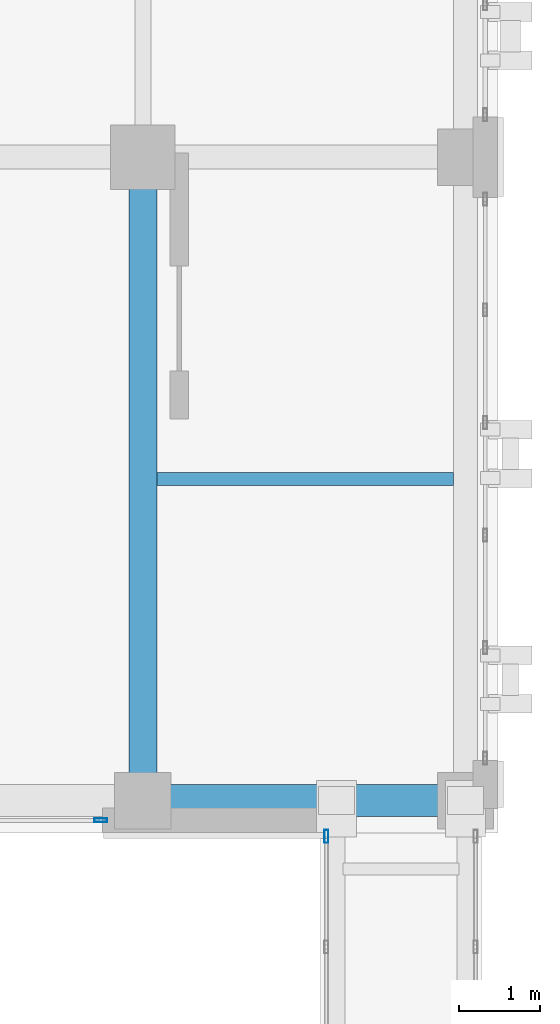
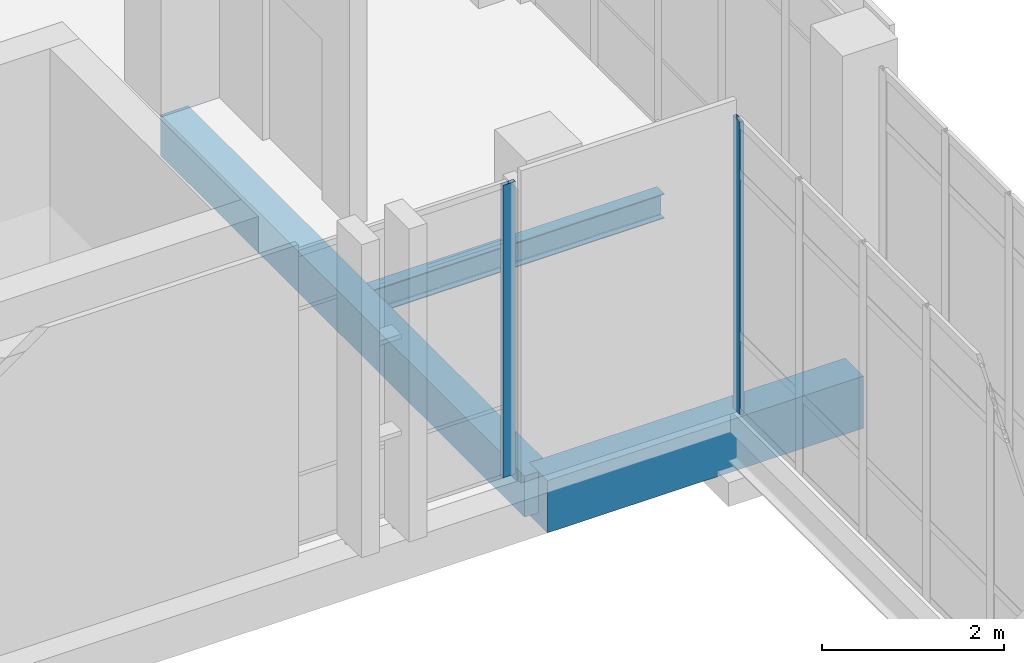
# One storey, part 21 of 193: 3 beams, 2 members, 2 elements without a shape of their own.
"""IFC4 building model written with IfcOpenShell, lengths in metres."""

from ifc_helpers import new_model, si_unit, direction, frame, origin, origin_2d, place, context, subcontext, project, spatial, rectangle, hollow_rectangle, i_section, extrude, material, layer, layer_set, material_profile, profile_set, type_object, element, aggregate, save


model = new_model("IFC4")

# Units and contexts
model_context = context("Model", 3, precision=1e-05, world=origin(), true_north=direction((0.0, 1.0)))
body_context = subcontext(model_context, "Body", "Model", "MODEL_VIEW")
ifc_project = project(units=[si_unit("LENGTHUNIT", "METRE"), si_unit("AREAUNIT", "SQUARE_METRE"), si_unit("VOLUMEUNIT", "CUBIC_METRE"), si_unit("PLANEANGLEUNIT", "RADIAN"), si_unit("MASSUNIT", "GRAM", prefix="KILO")], contexts=[model_context])

# Site, building, storey
site_placement = place(None, origin())
site = spatial("IfcSite", under=ifc_project, at=site_placement, CompositionType="ELEMENT")
building_placement = place(site_placement, origin())
building = spatial("IfcBuilding", under=site, at=building_placement, Name="Qalavern Law Courts", CompositionType="ELEMENT")
storey_placement = place(building_placement, frame((0.0, 0.0, 10.199951171875)))
storey = spatial("IfcBuildingStorey", under=building, at=storey_placement, Name="L02", CompositionType="ELEMENT", Elevation=10.199951171875)

# Curtain wall, member
ifc_material_1 = material(Name="Anodised aluminium and insulated glazing", Category="aluminium")
ifc_layer_1 = layer(ifc_material_1, 0.172119140625)
ifc_layer_set_1 = layer_set([ifc_layer_1], Name="Anodised aluminium and insulated glazing")
curtain_wall_type_1 = type_object("IfcCurtainWallType", Name="ENV-CW-COURT", PredefinedType="USERDEFINED", material=ifc_layer_set_1)
curtain_wall_1_placement = place(storey_placement, origin())
curtain_wall_1 = element("IfcCurtainWall", 1, at=curtain_wall_1_placement, inside=storey, type_object=curtain_wall_type_1, Name="V3 unitised curtain wall L02 south 1", ObjectType="UNITISED CURTAIN WALL", PredefinedType="USERDEFINED")
ifc_material_2 = material(Name="Anodised aluminium", Category="aluminium")
ifc_material_profile_1 = material_profile(ifc_material_2, hollow_rectangle(XDim=0.048095703125, YDim=0.159912109375, WallThickness=0.00390625, at=origin_2d()), Name="ALU MULLION 48x160")
ifc_profile_set_1 = profile_set([ifc_material_profile_1], Name="Anodised aluminium")
member_type = type_object("IfcMemberType", Name="ENV-CWM-48x160", PredefinedType="MULLION", material=ifc_profile_set_1)
member_1_placement = place(storey_placement, frame((13.8759765625, 41.175048828125, 0.0), z_axis=(0.0, 0.0, 1.0), x_axis=(0.0, 1.0, 0.0)))
member_1 = element("IfcMember", 2, at=member_1_placement, type_object=member_type, Name="CW-03 mullion 3", PredefinedType="MULLION", context=body_context, shape_type="SweptSolid", body=[
    extrude(hollow_rectangle(XDim=0.048095703125, YDim=0.159912109375, WallThickness=0.00390625, at=origin_2d()), origin(), (0.0, 0.0, 1.0), 3.9150390625),
])
aggregate(curtain_wall_1, [member_1])

ifc_layer_2 = layer(ifc_material_1, 0.14990234375)
ifc_layer_set_2 = layer_set([ifc_layer_2], Name="Anodised aluminium and insulated glazing")
curtain_wall_type_2 = type_object("IfcCurtainWallType", Name="ENV-CW-BRG", PredefinedType="USERDEFINED", material=ifc_layer_set_2)
curtain_wall_2_placement = place(storey_placement, origin())
curtain_wall_2 = element("IfcCurtainWall", 3, at=curtain_wall_2_placement, inside=storey, type_object=curtain_wall_type_2, Name="Bridge BR-V1-V3 glazed curtain wall L02-1", ObjectType="UNITISED CURTAIN WALL", PredefinedType="USERDEFINED")
member_2_placement = place(storey_placement, frame((16.675048828125, 40.97607421875, 0.0), z_axis=(0.0, 0.0, 1.0), x_axis=(1.0, 0.0, 0.0)))
member_2 = element("IfcMember", 4, at=member_2_placement, type_object=member_type, Name="CW-06 mullion 1", PredefinedType="MULLION", context=body_context, shape_type="SweptSolid", body=[
    extrude(hollow_rectangle(XDim=0.048095703125, YDim=0.159912109375, WallThickness=0.00390625, at=origin_2d()), origin(), (0.0, 0.0, 1.0), 3.9150390625),
])
aggregate(curtain_wall_2, [member_2])

# Beams
ifc_material_3 = material(Name="Concrete C35/45", Category="concrete")
ifc_material_profile_2 = material_profile(ifc_material_3, rectangle(XDim=0.35009765625, YDim=0.550048828125, at=origin_2d()), Name="RC 350x550")
ifc_profile_set_2 = profile_set([ifc_material_profile_2], Name="Concrete C35/45")
beam_type_1 = type_object("IfcBeamType", Name="STR-BM-RC350x550", PredefinedType="BEAM", material=ifc_profile_set_2)
beam_1_placement = place(storey_placement, frame((14.39990234375, 41.419921875, -0.56494140625), z_axis=(0.0, 1.0, 0.0), x_axis=(-1.0, 0.0, 0.0)))
element("IfcBeam", 5, at=beam_1_placement, inside=storey, type_object=beam_type_1, Name="V3 Y-beam 2-1 L02", PredefinedType="BEAM", context=body_context, shape_type="SweptSolid", body=[
    extrude(rectangle(XDim=0.35009765625, YDim=0.550048828125, at=origin_2d()), origin(), (0.0, 0.0, 1.0), 7.97998046875),
])
ifc_material_4 = material(Name="Steel S355", Category="steel")
ifc_material_profile_3 = material_profile(ifc_material_4, i_section(OverallWidth=0.159912109375, OverallDepth=0.330078125, WebThickness=0.007568359375, FlangeThickness=0.011474609375, FilletRadius=0.01806640625, at=origin_2d()), Name="IPE 330")
ifc_profile_set_3 = profile_set([ifc_material_profile_3], Name="Steel S355")
beam_type_2 = type_object("IfcBeamType", Name="STR-JST-IPE330", PredefinedType="JOIST", material=ifc_profile_set_3)
beam_2_placement = place(storey_placement, frame((14.572998046875, 45.409912109375, -0.454833984375), z_axis=(1.0, 0.0, 0.0), x_axis=(0.0, 1.0, 0.0)))
element("IfcBeam", 6, at=beam_2_placement, inside=storey, type_object=beam_type_2, Name="V3 secondary joist 2.1.1 L02", PredefinedType="JOIST", context=body_context, shape_type="SweptSolid", body=[
    extrude(i_section(OverallWidth=0.159912109375, OverallDepth=0.330078125, WebThickness=0.007568359375, FlangeThickness=0.011474609375, FilletRadius=0.01806640625, at=origin_2d()), origin(), (0.0, 0.0, 1.0), 3.678955078125),
])
ifc_material_5 = material(Name="Concrete C40/50", Category="concrete")
ifc_material_profile_4 = material_profile(ifc_material_5, rectangle(XDim=0.39990234375, YDim=0.699951171875, at=origin_2d()), Name="RC 400x700")
ifc_profile_set_4 = profile_set([ifc_material_profile_4], Name="Concrete C40/50")
beam_type_3 = type_object("IfcBeamType", Name="STR-SP-RC400x700", PredefinedType="SPANDREL", material=ifc_profile_set_4)
beam_3_placement = place(storey_placement, frame((14.39990234375, 41.419921875, -0.639892578125), z_axis=(1.0, 0.0, 0.0), x_axis=(0.0, 1.0, 0.0)))
element("IfcBeam", 7, at=beam_3_placement, inside=storey, type_object=beam_type_3, Name="V3 X-beam 1-2 L02", PredefinedType="SPANDREL", context=body_context, shape_type="SweptSolid", body=[
    extrude(rectangle(XDim=0.39990234375, YDim=0.699951171875, at=origin_2d()), origin(), (0.0, 0.0, 1.0), 4.0),
])

save(model, "model.ifc")
